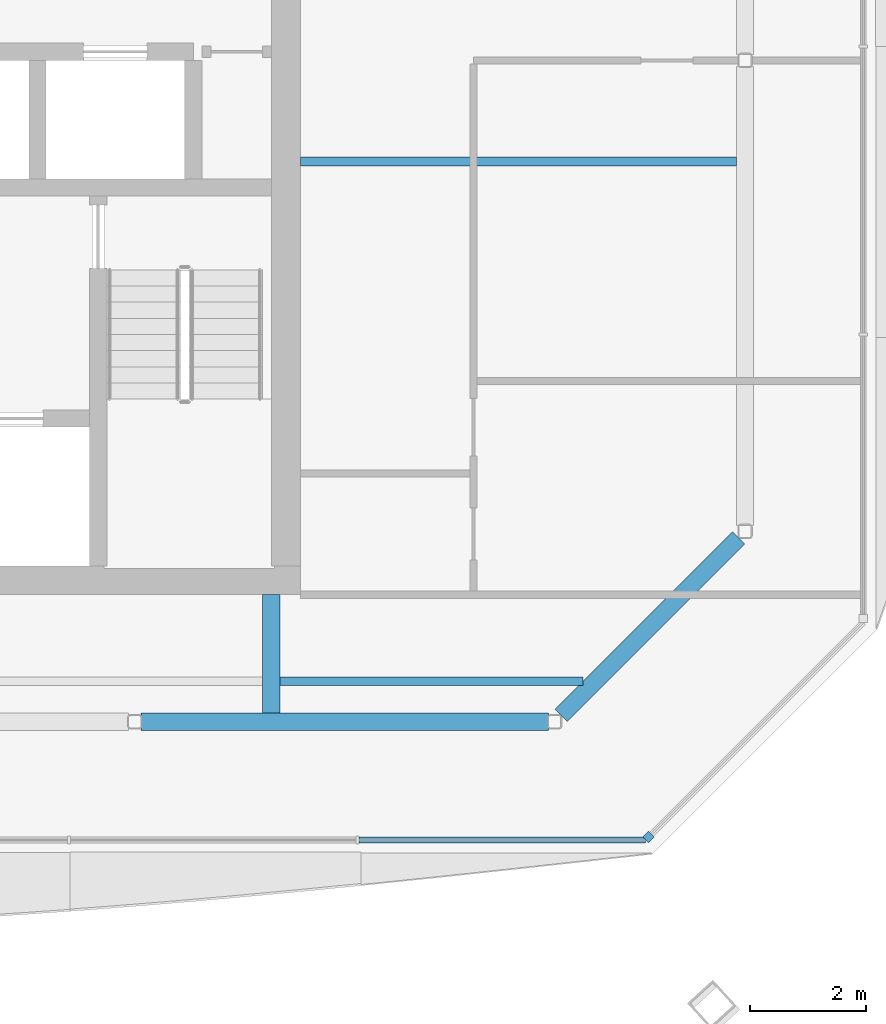
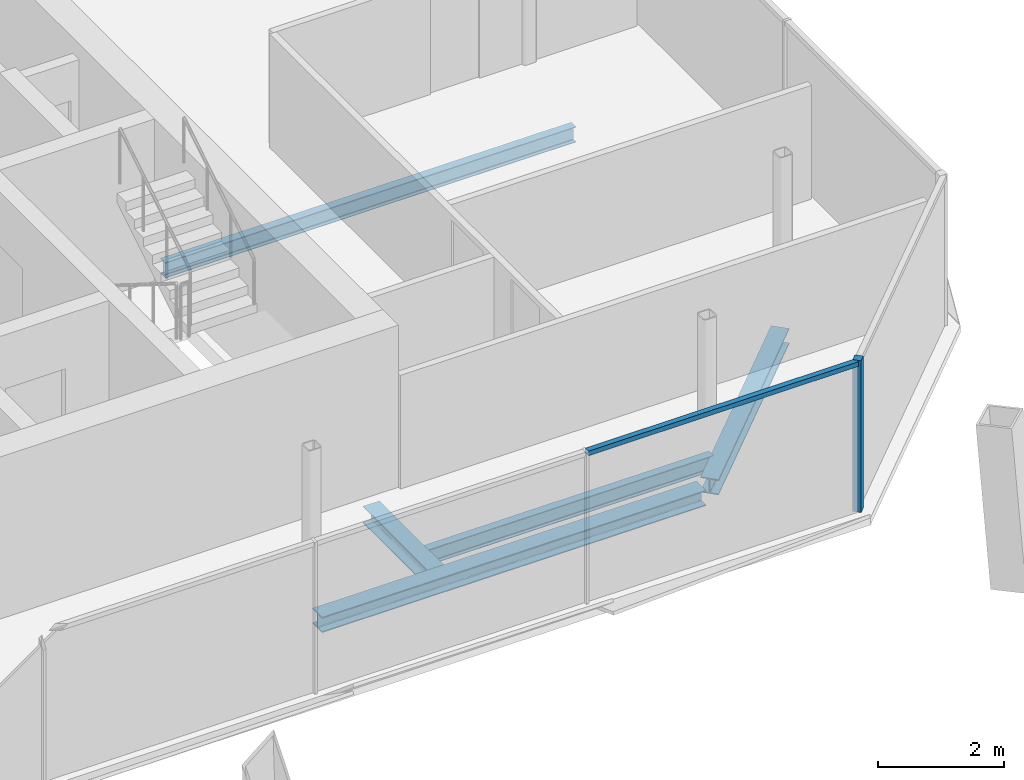
# One storey, part 4 of 14: 5 beams, 2 members, 2 elements without a shape of their own.
"""IFC4 building model written with IfcOpenShell, lengths in metres."""

import ifcopenshell
import ifcopenshell.guid

model = None  # the IFC model being written
_history = None  # IfcOwnerHistory: only IFC2X3 demands one
_inside = {}  # id of a spatial element -> (the spatial element, [elements in it])
_under = {}  # id of a project, library or spatial element -> (it, [spatial elements below it])
_declared = {}  # id of a project -> (the project, [libraries it declares])
_typed = {}  # id of a type object -> (the type object, [elements of that type])
_made_of = {}  # id of a material, layer set ... -> (it, [elements and type objects made of it])


def new_model(schema):
    """Start an empty IFC model of exactly this schema.

    Asked for "IFC4X3", IfcOpenShell would pick the latest addendum, in which some entities
    have other attributes; the version numbers below select the first issue.
    IFC2X3 requires an IfcOwnerHistory on every rooted entity: one is made here for all.
    """
    global model, _history
    if schema == "IFC4X3":
        model = ifcopenshell.file(schema_version=(4, 3, 0, 0))
    else:
        model = ifcopenshell.file(schema=schema)
    _inside.clear()
    _under.clear()
    _declared.clear()
    _typed.clear()
    _made_of.clear()
    _history = None
    if model.schema == "IFC2X3":
        org = make("IfcOrganization", Name="unknown")
        user = make(
            "IfcPersonAndOrganization",
            ThePerson=make("IfcPerson", FamilyName="unknown"),
            TheOrganization=org,
        )
        app = make(
            "IfcApplication",
            ApplicationDeveloper=org,
            Version="unknown",
            ApplicationFullName="unknown",
            ApplicationIdentifier="unknown",
        )
        _history = make(
            "IfcOwnerHistory",
            OwningUser=user,
            OwningApplication=app,
            ChangeAction="ADDED",
            CreationDate=0,
        )
    return model


def make(cls, **values):
    """One entity of the class cls with the attributes given. An attribute that is None is left unset."""
    return model.create_entity(
        cls, **{name: value for name, value in values.items() if value is not None}
    )


def rooted(cls, **values):
    """An entity with a GlobalId (a new one), such as an element, a storey or a relation."""
    return make(cls, GlobalId=ifcopenshell.guid.new(), OwnerHistory=_history, **values)


def si_unit(unit_type, name, prefix=None):
    """IfcSIUnit, for example si_unit("LENGTHUNIT", "METRE", prefix="MILLI")."""
    return make("IfcSIUnit", UnitType=unit_type, Prefix=prefix, Name=name)


def assignment(units):
    """IfcUnitAssignment: the units of a project."""
    return None if units is None else make("IfcUnitAssignment", Units=units)


def point(xyz):
    """IfcCartesianPoint."""
    return None if xyz is None else make("IfcCartesianPoint", Coordinates=xyz)


def direction(xyz):
    """IfcDirection."""
    return None if xyz is None else make("IfcDirection", DirectionRatios=xyz)


def frame(location, z_axis=None, x_axis=None):
    """IfcAxis2Placement3D, a coordinate frame: its origin and axes. An axis left out is left unset."""
    return make(
        "IfcAxis2Placement3D",
        Location=point(location),
        Axis=direction(z_axis),
        RefDirection=direction(x_axis),
    )


def frame_2d(location, x_axis=None):
    """IfcAxis2Placement2D, a coordinate frame in the plane: its origin and x axis."""
    return make(
        "IfcAxis2Placement2D", Location=point(location), RefDirection=direction(x_axis)
    )


def origin():
    """The frame at (0, 0, 0) with its axes left unset."""
    return frame((0.0, 0.0, 0.0))


def origin_2d():
    """The frame at (0, 0) in the plane with its x axis left unset."""
    return frame_2d((0.0, 0.0))


def place(relative_to, where):
    """IfcLocalPlacement: puts the frame where relative to a parent placement (None: the world)."""
    return make(
        "IfcLocalPlacement", PlacementRelTo=relative_to, RelativePlacement=where
    )


def context(
    kind, dimensions, precision=None, world=None, true_north=None, identifier=None
):
    """IfcGeometricRepresentationContext, for example the 3D "Model" context."""
    return make(
        "IfcGeometricRepresentationContext",
        ContextIdentifier=identifier,
        ContextType=kind,
        CoordinateSpaceDimension=dimensions,
        Precision=precision,
        WorldCoordinateSystem=world,
        TrueNorth=true_north,
    )


def subcontext(parent, identifier, kind, view, scale=None):
    """IfcGeometricRepresentationSubContext, for example "Body" below "Model"."""
    return make(
        "IfcGeometricRepresentationSubContext",
        ContextIdentifier=identifier,
        ContextType=kind,
        ParentContext=parent,
        TargetScale=scale,
        TargetView=view,
    )


def project(units=None, contexts=None):
    """IfcProject with its units and contexts."""
    return rooted(
        "IfcProject",
        Name="project",
        RepresentationContexts=contexts,
        UnitsInContext=assignment(units),
    )


def spatial(cls, under=None, at=None, **own):
    """A site, building, storey or space (cls), placed at a placement, below another one or the project."""
    s = rooted(cls, ObjectPlacement=at, **own)
    if under is not None:
        _under.setdefault(under.id(), (under, []))[1].append(s)
    return s


def profile(cls, at=None, kind="AREA", **sizes):
    """A parametric profile (cls). Its sizes go by their IFC names, for example OverallWidth=200.0."""
    return make(cls, ProfileType=kind, Position=at, **sizes)


def rectangle(**sizes):
    """IfcRectangleProfileDef."""
    return profile("IfcRectangleProfileDef", **sizes)


def i_section(**sizes):
    """IfcIShapeProfileDef."""
    return profile("IfcIShapeProfileDef", **sizes)


def extrude(swept, where, along, depth):
    """IfcExtrudedAreaSolid: the profile swept, set in the frame where, extruded along a direction by depth."""
    return make(
        "IfcExtrudedAreaSolid",
        SweptArea=swept,
        Position=where,
        ExtrudedDirection=direction(along),
        Depth=depth,
    )


def shape(context_of_items, identifier, shape_type, items):
    """IfcShapeRepresentation: the items that make up one representation, for example the "Body"."""
    return make(
        "IfcShapeRepresentation",
        ContextOfItems=context_of_items,
        RepresentationIdentifier=identifier,
        RepresentationType=shape_type,
        Items=items,
    )


def material(Name=None, Category=None):
    """IfcMaterial."""
    return make("IfcMaterial", Name=Name, Category=Category)


def material_profile(
    of_material, cross_section, Name=None, Category=None, Priority=None
):
    """IfcMaterialProfile: a cross section and its material."""
    return make(
        "IfcMaterialProfile",
        Name=Name,
        Material=of_material,
        Profile=cross_section,
        Priority=Priority,
        Category=Category,
    )


def profile_set(profiles, Name=None, composite=None):
    """IfcMaterialProfileSet."""
    return make(
        "IfcMaterialProfileSet",
        Name=Name,
        MaterialProfiles=profiles,
        CompositeProfile=composite,
    )


def made_of(thing, what):
    """Note that an element or type object is made of a material, layer set ...; save() writes the relation."""
    if what is not None:
        _made_of.setdefault(what.id(), (what, []))[1].append(thing)
    return thing


def type_object(cls, material=None, **own):
    """A type object (cls), such as IfcWallType, which elements share."""
    return made_of(rooted(cls, **own), material)


def element(
    cls,
    number,
    at=None,
    inside=None,
    cuts=None,
    type_object=None,
    material=None,
    context=None,
    identifier="Body",
    shape_type=None,
    held_by="IfcProductDefinitionShape",
    body=None,
    shapes=None,
    **own,
):
    """One element of the class cls, such as IfcWall. Its Tag is "e" and its number.

    at: its placement. inside: the storey or other place that contains it. cuts: it is an
    opening in that element (IfcRelVoidsElement). A single representation is given by context,
    identifier, shape_type and body (its items); several are given by shapes. held_by: the class
    of the entity that holds the representations. save() writes the other relations.
    """
    e = rooted(cls, Tag="e%d" % number, ObjectPlacement=at, **own)
    if body is not None:
        shapes = [shape(context, identifier, shape_type, body)]
    if shapes is not None:
        e.Representation = make(held_by, Representations=shapes)
    if inside is not None:
        _inside.setdefault(inside.id(), (inside, []))[1].append(e)
    if cuts is not None:
        rooted(
            "IfcRelVoidsElement", RelatingBuildingElement=cuts, RelatedOpeningElement=e
        )
    if type_object is not None:
        _typed.setdefault(type_object.id(), (type_object, []))[1].append(e)
    return made_of(e, material)


def aggregate(whole, parts):
    """IfcRelAggregates: a whole, such as a stair, and the parts it consists of."""
    return rooted("IfcRelAggregates", RelatingObject=whole, RelatedObjects=parts)


def save(model, path):
    """Write the relations noted so far, then the file.

    IfcRelAggregates (storeys below a building ...), IfcRelContainedInSpatialStructure (elements
    in a storey), IfcRelDefinesByType, IfcRelAssociatesMaterial and IfcRelDeclares: one each for
    every whole, place, type object, material and project.
    """
    for whole, parts in _under.values():
        aggregate(whole, parts)
    for where, things in _inside.values():
        rooted(
            "IfcRelContainedInSpatialStructure",
            RelatedElements=things,
            RelatingStructure=where,
        )
    for kind, things in _typed.values():
        rooted("IfcRelDefinesByType", RelatedObjects=things, RelatingType=kind)
    for what, things in _made_of.values():
        rooted("IfcRelAssociatesMaterial", RelatedObjects=things, RelatingMaterial=what)
    for by, libraries in _declared.values():
        rooted("IfcRelDeclares", RelatingContext=by, RelatedDefinitions=libraries)
    model.write(path)


model = new_model("IFC4")

# Units and contexts
model_context = context("Model", 3, precision=1e-05, world=origin(), true_north=direction((0.0, 1.0)))
body_context = subcontext(model_context, "Body", "Model", "MODEL_VIEW")
ifc_project = project(units=[si_unit("LENGTHUNIT", "METRE"), si_unit("AREAUNIT", "SQUARE_METRE"), si_unit("VOLUMEUNIT", "CUBIC_METRE"), si_unit("PLANEANGLEUNIT", "RADIAN"), si_unit("MASSUNIT", "GRAM", prefix="KILO")], contexts=[model_context])

# Site, building, storey
site_placement = place(None, origin())
site = spatial("IfcSite", under=ifc_project, at=site_placement, CompositionType="ELEMENT")
building_placement = place(site_placement, origin())
building = spatial("IfcBuilding", under=site, at=building_placement, Name="Tskaro Facet Tower", CompositionType="ELEMENT")
storey_placement = place(building_placement, frame((0.0, 0.0, 272.10009765625)))
storey = spatial("IfcBuildingStorey", under=building, at=storey_placement, Name="L72", CompositionType="ELEMENT", Elevation=272.10009765625)

# Curtain wall, member
ifc_material_1 = material(Name="Bronze anodised aluminium 6063-T6", Category="aluminium")
curtain_wall_type = type_object("IfcCurtainWallType", Name="Bronze residence curtain wall (FW3)", PredefinedType="NOTDEFINED", material=ifc_material_1)
curtain_wall_1_placement = place(storey_placement, origin())
curtain_wall_1 = element("IfcCurtainWall", 1, at=curtain_wall_1_placement, inside=storey, type_object=curtain_wall_type, Name="FW3 south-east facet L72", PredefinedType="NOTDEFINED")
ifc_material_profile_1 = material_profile(ifc_material_1, rectangle(XDim=0.139892578125, YDim=0.139892578125, at=origin_2d()), Name="Corner post 140x140")
ifc_profile_set_1 = profile_set([ifc_material_profile_1], Name="Bronze anodised aluminium 6063-T6")
member_type_1 = type_object("IfcMemberType", Name="FW3 bronze corner post 140x140", PredefinedType="MULLION", material=ifc_profile_set_1)
member_1_placement = place(storey_placement, frame((15.528564453125, -16.196533203125, 0.0), z_axis=(0.0, 0.0, 1.0), x_axis=(0.707106781187, 0.707106781187, 0.0)))
member_1 = element("IfcMember", 2, at=member_1_placement, type_object=member_type_1, Name="FW3 south-east corner post", PredefinedType="MULLION", context=body_context, shape_type="SweptSolid", body=[
    extrude(rectangle(XDim=0.139892578125, YDim=0.139892578125, at=origin_2d()), origin(), (0.0, 0.0, 1.0), 2.949951171875),
])
aggregate(curtain_wall_1, [member_1])

curtain_wall_2_placement = place(storey_placement, origin())
curtain_wall_2 = element("IfcCurtainWall", 3, at=curtain_wall_2_placement, inside=storey, type_object=curtain_wall_type, Name="FW3 south facet L72", PredefinedType="NOTDEFINED")
ifc_material_profile_2 = material_profile(ifc_material_1, rectangle(XDim=0.10009765625, YDim=0.090087890625, at=origin_2d()), Name="Transom 100x90")
ifc_profile_set_2 = profile_set([ifc_material_profile_2], Name="Bronze anodised aluminium 6063-T6")
member_type_2 = type_object("IfcMemberType", Name="FW3 bronze transom 100x90", PredefinedType="USERDEFINED", material=ifc_profile_set_2)
member_2_placement = place(storey_placement, frame((10.512451171875, -16.24609375, 2.90478515625), z_axis=(1.0, 0.0, 0.0), x_axis=(0.0, 1.0, 0.0)))
member_2 = element("IfcMember", 4, at=member_2_placement, type_object=member_type_2, Name="FW3 south transom 5.1", ObjectType="TRANSOM", PredefinedType="USERDEFINED", context=body_context, shape_type="SweptSolid", body=[
    extrude(rectangle(XDim=0.10009765625, YDim=0.090087890625, at=origin_2d()), origin(), (0.0, 0.0, 1.0), 4.966552734375),
])
aggregate(curtain_wall_2, [member_2])

# Beams
ifc_material_2 = material(Name="Steel S355J2", Category="steel")
ifc_material_profile_3 = material_profile(ifc_material_2, i_section(OverallWidth=0.300048828125, OverallDepth=0.300048828125, WebThickness=0.010986328125, FlangeThickness=0.01904296875, FilletRadius=0.027099609375, at=origin_2d()), Name="HE 300 B")
ifc_profile_set_3 = profile_set([ifc_material_profile_3], Name="Steel S355J2")
beam_type_1 = type_object("IfcBeamType", Name="HE 300 B ring beam", PredefinedType="BEAM", material=ifc_profile_set_3)
beam_1_placement = place(storey_placement, frame((6.739013671875, -14.199951171875, -0.2900390625), z_axis=(1.0, 0.0, 0.0), x_axis=(0.0, 1.0, 0.0)))
element("IfcBeam", 5, at=beam_1_placement, inside=storey, type_object=beam_type_1, Name="HE 300 B EB3-6", PredefinedType="BEAM", context=body_context, shape_type="SweptSolid", body=[
    extrude(i_section(OverallWidth=0.300048828125, OverallDepth=0.300048828125, WebThickness=0.010986328125, FlangeThickness=0.01904296875, FilletRadius=0.027099609375, at=origin_2d()), origin(), (0.0, 0.0, 1.0), 7.05908203125),
])
beam_2_placement = place(storey_placement, frame((14.013916015625, -14.089111328125, -0.2900390625), z_axis=(0.707106781187, 0.707106781187, 0.0), x_axis=(-0.707106781187, 0.707106781187, 0.0)))
element("IfcBeam", 6, at=beam_2_placement, inside=storey, type_object=beam_type_1, Name="HE 300 B EB4-6", PredefinedType="BEAM", context=body_context, shape_type="SweptSolid", body=[
    extrude(i_section(OverallWidth=0.300048828125, OverallDepth=0.300048828125, WebThickness=0.010986328125, FlangeThickness=0.01904296875, FilletRadius=0.027099609375, at=origin_2d()), origin(), (0.0, 0.0, 1.0), 4.348876953125),
])
ifc_material_profile_4 = material_profile(ifc_material_2, i_section(OverallWidth=0.300048828125, OverallDepth=0.330078125, WebThickness=0.009521484375, FlangeThickness=0.0166015625, FilletRadius=0.027099609375, at=origin_2d()), Name="HE 340 A")
ifc_profile_set_4 = profile_set([ifc_material_profile_4], Name="Steel S355J2")
beam_type_2 = type_object("IfcBeamType", Name="HE 340 A girder", PredefinedType="BEAM", material=ifc_profile_set_4)
beam_3_placement = place(storey_placement, frame((9.0, -14.050048828125, -0.30517578125), z_axis=(0.0, 1.0, 0.0), x_axis=(-1.0, 0.0, 0.0)))
element("IfcBeam", 7, at=beam_3_placement, inside=storey, type_object=beam_type_2, Name="HE 340 A GB5-1-6", PredefinedType="BEAM", context=body_context, shape_type="SweptSolid", body=[
    extrude(i_section(OverallWidth=0.300048828125, OverallDepth=0.330078125, WebThickness=0.009521484375, FlangeThickness=0.0166015625, FilletRadius=0.027099609375, at=origin_2d()), origin(), (0.0, 0.0, 1.0), 2.050048828125),
])
ifc_material_profile_5 = material_profile(ifc_material_2, i_section(OverallWidth=0.14990234375, OverallDepth=0.300048828125, WebThickness=0.007080078125, FlangeThickness=0.0107421875, FilletRadius=0.014892578125, at=origin_2d()), Name="IPE 300")
ifc_profile_set_5 = profile_set([ifc_material_profile_5], Name="Steel S355J2")
beam_type_3 = type_object("IfcBeamType", Name="IPE 300 secondary beam", PredefinedType="BEAM", material=ifc_profile_set_5)
beam_4_placement = place(storey_placement, frame((9.14990234375, -13.5, -0.2900390625), z_axis=(1.0, 0.0, 0.0), x_axis=(0.0, 1.0, 0.0)))
element("IfcBeam", 8, at=beam_4_placement, inside=storey, type_object=beam_type_3, Name="IPE 300 SB2a-3-6", PredefinedType="BEAM", context=body_context, shape_type="SweptSolid", body=[
    extrude(i_section(OverallWidth=0.14990234375, OverallDepth=0.300048828125, WebThickness=0.007080078125, FlangeThickness=0.0107421875, FilletRadius=0.014892578125, at=origin_2d()), origin(), (0.0, 0.0, 1.0), 5.2412109375),
])
beam_5_placement = place(storey_placement, frame((9.5, -4.5, -0.2900390625), z_axis=(1.0, 0.0, 0.0), x_axis=(0.0, 1.0, 0.0)))
element("IfcBeam", 9, at=beam_5_placement, inside=storey, type_object=beam_type_3, Name="IPE 300 SB3a-2-6", PredefinedType="BEAM", context=body_context, shape_type="SweptSolid", body=[
    extrude(i_section(OverallWidth=0.14990234375, OverallDepth=0.300048828125, WebThickness=0.007080078125, FlangeThickness=0.0107421875, FilletRadius=0.014892578125, at=origin_2d()), origin(), (0.0, 0.0, 1.0), 7.550048828125),
])

save(model, "model.ifc")
